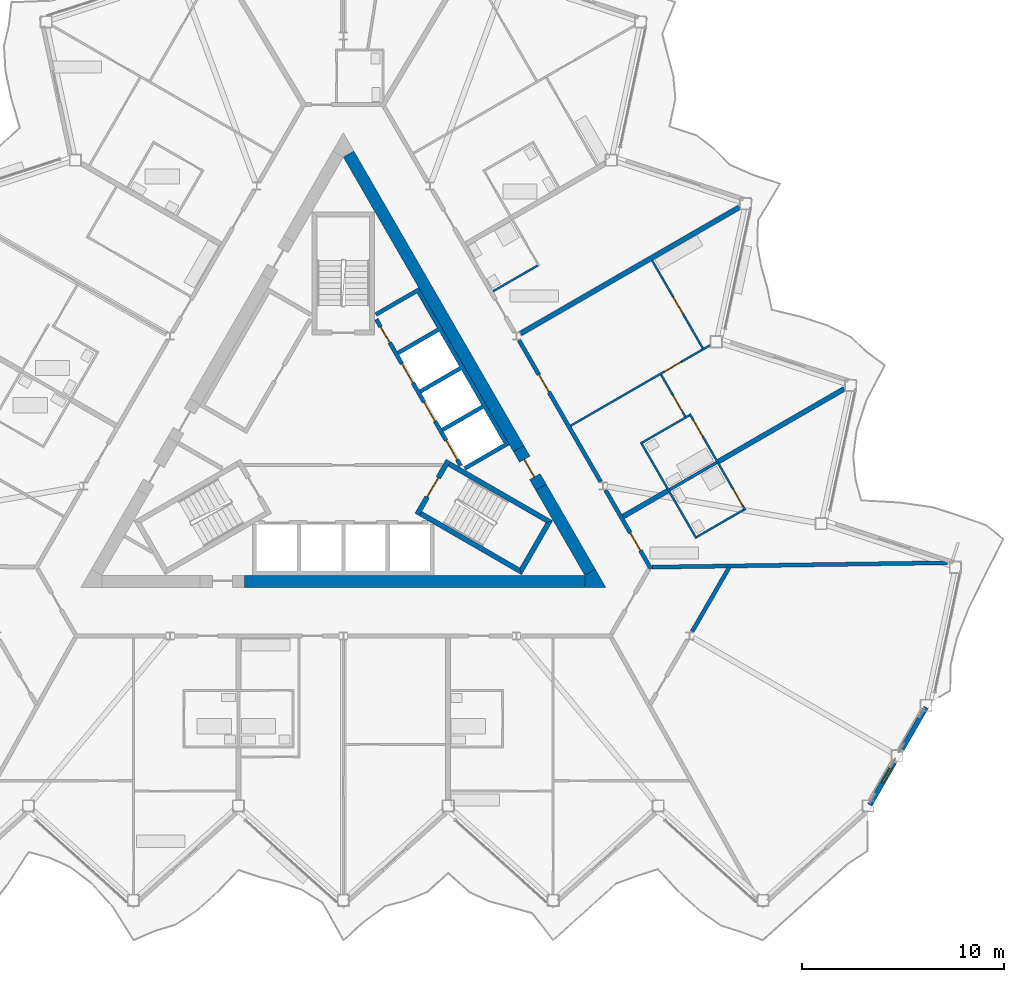
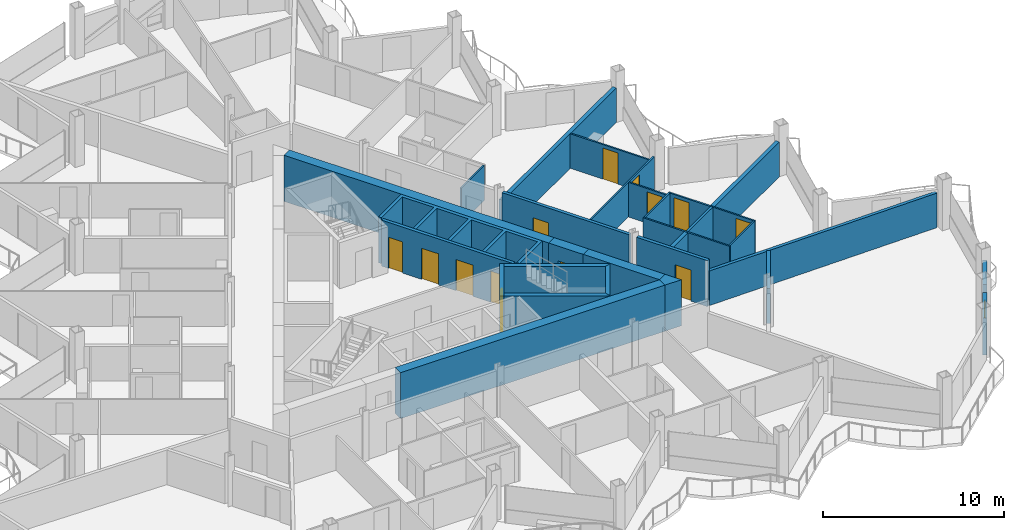
# One storey, part 16 of 26: 29 walls, 13 doors, 1 window, 14 openings.
"""IFC4 building model written with IfcOpenShell, lengths in metres."""

from ifc_helpers import new_model, si_unit, direction, frame, frame_2d, origin, place, context, subcontext, project, spatial, polyline, rectangle, outline, extrude, material, layer, layer_set, type_object, element, fill, save


model = new_model("IFC4")

# Units and contexts
model_context = context("Model", 3, precision=1e-05, world=origin(), true_north=direction((0.0, 1.0)))
body_context = subcontext(model_context, "Body", "Model", "MODEL_VIEW")
ifc_project = project(units=[si_unit("LENGTHUNIT", "METRE"), si_unit("AREAUNIT", "SQUARE_METRE"), si_unit("VOLUMEUNIT", "CUBIC_METRE"), si_unit("PLANEANGLEUNIT", "RADIAN"), si_unit("MASSUNIT", "GRAM", prefix="KILO")], contexts=[model_context])

# Site, building, storey
site_placement = place(None, origin())
site = spatial("IfcSite", under=ifc_project, at=site_placement, CompositionType="ELEMENT")
building_placement = place(site_placement, origin())
building = spatial("IfcBuilding", under=site, at=building_placement, Name="Cormorant Prow Tower", CompositionType="ELEMENT")
storey_placement = place(building_placement, frame((0.0, 0.0, 329.0)))
storey = spatial("IfcBuildingStorey", under=building, at=storey_placement, Name="L73", CompositionType="ELEMENT", Elevation=329.0)

# Walls
ifc_material_1 = material(Name="Concrete 8000 psi", Category="concrete")
ifc_layer_1 = layer(ifc_material_1, 0.60009765625)
ifc_layer_set_1 = layer_set([ifc_layer_1], Name="Concrete 8000 psi")
wall_type_1 = type_object("IfcWallType", Name="Core shear wall 600", PredefinedType="SHEAR", material=ifc_layer_set_1)
for number, where, z_axis, x_axis, name in (
    (1, (-4.89208984375, -7.20556640625, 0.0), (0.0, 0.0, 1.0), (1.0, 0.0, 0.0), "Core wall"),
    (2, (8.686279296875, -0.6337890625, 0.0), (0.0, 0.0, 1.0), (-0.500004601921, 0.866022746848, 0.0), "Core wall"),
):
    element("IfcWall", number, at=place(storey_placement, frame(where, z_axis=z_axis, x_axis=x_axis)), inside=storey, type_object=wall_type_1, Name=name, PredefinedType="SHEAR", context=body_context, shape_type="SweptSolid", body=[
        extrude(rectangle(XDim=16.852783203125, YDim=0.60009765625, at=frame_2d((8.42626953125, 0.0))), origin(), (0.0, 0.0, 1.0), 3.10009765625),
    ])
wall_1_placement = place(storey_placement, frame((12.220703125, -6.755615234375, 0.0), z_axis=(0.0, 0.0, 1.0), x_axis=(-0.50000604952, 0.866021911064, 0.0)))
element("IfcWall", 3, at=wall_1_placement, inside=storey, type_object=wall_type_1, Name="Core wall", PredefinedType="SHEAR", context=body_context, shape_type="SweptSolid", body=[
    extrude(rectangle(XDim=4.86865234375, YDim=0.60009765625, at=frame_2d((2.434326171875, 0.0))), origin(), (0.0, 0.0, 1.0), 3.10009765625),
])
wall_2_placement = place(storey_placement, origin())
element("IfcWall", 4, at=wall_2_placement, inside=storey, type_object=wall_type_1, Name="Core wall corner", PredefinedType="SHEAR", context=body_context, shape_type="SweptSolid", body=[
    extrude(outline(polyline([(11.960693359375, -7.505615234375), (11.960693359375, -6.905517578125), (12.48046875, -6.605712890625), (13.0, -7.505615234375), (11.960693359375, -7.505615234375)])), origin(), (0.0, 0.0, 1.0), 3.10009765625),
])

# Wall, opening, door
wall_3_placement = place(storey_placement, frame((9.786376953125, -2.539306640625, 0.0), z_axis=(0.0, 0.0, 1.0), x_axis=(-0.499981787252, 0.866035918664, 0.0)))
wall_3 = element("IfcWall", 5, at=wall_3_placement, inside=storey, type_object=wall_type_1, Name="Core wall door panel", PredefinedType="SHEAR", context=body_context, shape_type="SweptSolid", body=[
    extrude(rectangle(XDim=2.2001953125, YDim=0.60009765625, at=frame_2d((1.10009765625, 0.0))), origin(), (0.0, 0.0, 1.0), 3.10009765625),
])
opening_1_placement = place(wall_3_placement, frame((0.60009765625, 0.0, 0.0)))
opening_1 = element("IfcOpeningElement", 6, at=opening_1_placement, cuts=wall_3, Name="Opening L73-C15", PredefinedType="OPENING", context=body_context, shape_type="SweptSolid", body=[
    extrude(rectangle(XDim=1.0, YDim=2.10009765625, at=frame_2d((0.5, 1.050048828125))), frame((0.0, 0.31005859375, 0.0), z_axis=(0.0, -1.0, 0.0), x_axis=(1.0, 0.0, 0.0)), (0.0, 0.0, 1.0), 0.6201171875),
])
ifc_material_2 = material(Name="Painted steel", Category="steel")
door_type_1 = type_object("IfcDoorType", Name="Service door 1000x2100", OperationType="NOTDEFINED", PredefinedType="DOOR", material=ifc_material_2)
door_1_placement = place(opening_1_placement, origin())
door_1 = element("IfcDoor", 7, at=door_1_placement, inside=storey, type_object=door_type_1, Name="Core door, Electrical room", OperationType="SINGLE_SWING_LEFT", OverallHeight=2.10009765625, OverallWidth=1.0, PredefinedType="DOOR", context=body_context, shape_type="SweptSolid", body=[
    extrude(rectangle(XDim=1.0, YDim=2.10009765625, at=frame_2d((0.5, 1.050048828125))), frame((0.0, 0.05517578125, 0.0), z_axis=(0.0, -1.0, 0.0), x_axis=(1.0, 0.0, 0.0)), (0.0, 0.0, 1.0), 0.050048828125),
])
fill(opening_1, door_1)

ifc_material_3 = material(Name="Gypsum board corridor wall")
ifc_layer_2 = layer(ifc_material_3, 0.199951171875)
ifc_layer_set_2 = layer_set([ifc_layer_2], Name="Gypsum board corridor wall")
wall_type_2 = type_object("IfcWallType", Name="Corridor wall 200", PredefinedType="PARTITIONING", material=ifc_layer_set_2)
wall_4_placement = place(storey_placement, frame((8.698486328125, 4.7451171875, 0.0), z_axis=(0.0, 0.0, 1.0), x_axis=(0.499984266882, -0.866034487114, 0.0)))
wall_4 = element("IfcWall", 8, at=wall_4_placement, inside=storey, type_object=wall_type_2, Name="Corridor wall", PredefinedType="PARTITIONING", context=body_context, shape_type="SweptSolid", body=[
    extrude(rectangle(XDim=8.098876953125, YDim=0.199951171875, at=frame_2d((4.04931640625, 0.0))), origin(), (0.0, 0.0, 1.0), 3.10009765625),
])
opening_2_placement = place(wall_4_placement, frame((1.975830078125, 0.0, 0.0)))
opening_2 = element("IfcOpeningElement", 9, at=opening_2_placement, cuts=wall_4, Name="Opening L73-F20", PredefinedType="OPENING", context=body_context, shape_type="SweptSolid", body=[
    extrude(rectangle(XDim=1.0, YDim=2.10009765625, at=frame_2d((0.5, 1.050048828125))), frame((0.0, 0.10986328125, 0.0), z_axis=(0.0, -1.0, 0.0), x_axis=(1.0, 0.0, 0.0)), (0.0, 0.0, 1.0), 0.219970703125),
])
ifc_material_4 = material(Name="Timber door leaf", Category="wood")
door_type_2 = type_object("IfcDoorType", Name="Flat or room entrance door 1000x2100", OperationType="NOTDEFINED", PredefinedType="DOOR", material=ifc_material_4)
door_2_placement = place(opening_2_placement, origin())
door_2 = element("IfcDoor", 10, at=door_2_placement, inside=storey, type_object=door_type_2, Name="Living room door", OperationType="SINGLE_SWING_LEFT", OverallHeight=2.10009765625, OverallWidth=1.0, PredefinedType="DOOR", context=body_context, shape_type="SweptSolid", body=[
    extrude(rectangle(XDim=1.0, YDim=2.10009765625, at=frame_2d((0.5, 1.050048828125))), frame((0.0, 0.02490234375, 0.0), z_axis=(0.0, -1.0, 0.0), x_axis=(1.0, 0.0, 0.0)), (0.0, 0.0, 1.0), 0.050048828125),
])
fill(opening_2, door_2)

wall_5_placement = place(storey_placement, frame((12.987548828125, -2.68408203125, 0.0), z_axis=(0.0, 0.0, 1.0), x_axis=(0.49999094734, -0.866030630277, 0.0)))
wall_5 = element("IfcWall", 11, at=wall_5_placement, inside=storey, type_object=wall_type_2, Name="Corridor wall", PredefinedType="PARTITIONING", context=body_context, shape_type="SweptSolid", body=[
    extrude(rectangle(XDim=4.5126953125, YDim=0.199951171875, at=frame_2d((2.25634765625, 0.0))), origin(), (0.0, 0.0, 1.0), 3.10009765625),
])
opening_3_placement = place(wall_5_placement, frame((2.459228515625, 0.0, 0.0)))
opening_3 = element("IfcOpeningElement", 12, at=opening_3_placement, cuts=wall_5, Name="Opening L73-F18", PredefinedType="OPENING", context=body_context, shape_type="SweptSolid", body=[
    extrude(rectangle(XDim=1.0, YDim=2.10009765625, at=frame_2d((0.5, 1.050048828125))), frame((0.0, 0.10986328125, 0.0), z_axis=(0.0, -1.0, 0.0), x_axis=(1.0, 0.0, 0.0)), (0.0, 0.0, 1.0), 0.219970703125),
])
door_3_placement = place(opening_3_placement, origin())
door_3 = element("IfcDoor", 13, at=door_3_placement, inside=storey, type_object=door_type_2, Name="Studio living, kitchen and sleeping room door", OperationType="SINGLE_SWING_LEFT", OverallHeight=2.10009765625, OverallWidth=1.0, PredefinedType="DOOR", context=body_context, shape_type="SweptSolid", body=[
    extrude(rectangle(XDim=1.0, YDim=2.10009765625, at=frame_2d((0.5, 1.050048828125))), frame((0.0, 0.02490234375, 0.0), z_axis=(0.0, -1.0, 0.0), x_axis=(1.0, 0.0, 0.0)), (0.0, 0.0, 1.0), 0.050048828125),
])
fill(opening_3, door_3)

# Walls
ifc_material_5 = material(Name="Gypsum board demising wall")
ifc_layer_3 = layer(ifc_material_5, 0.199951171875)
ifc_layer_set_3 = layer_set([ifc_layer_3], Name="Gypsum board demising wall")
wall_type_3 = type_object("IfcWallType", Name="Demising wall 200", PredefinedType="PARTITIONING", material=ifc_layer_set_3)
wall_6_placement = place(storey_placement, frame((15.2939453125, -6.50390625, 0.0), z_axis=(0.0, 0.0, 1.0), x_axis=(0.999886982846, 0.015034012608, 0.0)))
element("IfcWall", 14, at=wall_6_placement, inside=storey, type_object=wall_type_3, Name="Demising wall", PredefinedType="PARTITIONING", context=body_context, shape_type="SweptSolid", body=[
    extrude(rectangle(XDim=14.631591796875, YDim=0.199951171875, at=frame_2d((7.31591796875, 0.0))), origin(), (0.0, 0.0, 1.0), 2.330078125),
])
wall_7_placement = place(storey_placement, frame((17.27685546875, -9.697998046875, 0.0), z_axis=(0.0, 0.0, 1.0), x_axis=(0.499978535015, 0.866037796245, 0.0)))
element("IfcWall", 15, at=wall_7_placement, inside=storey, type_object=wall_type_3, Name="Demising wall", PredefinedType="PARTITIONING", context=body_context, shape_type="SweptSolid", body=[
    extrude(rectangle(XDim=3.686279296875, YDim=0.199951171875, at=frame_2d((1.84326171875, 0.0))), origin(), (0.0, 0.0, 1.0), 2.330078125),
])

# Wall, opening, door
ifc_material_6 = material(Name="Gypsum board partition")
ifc_layer_4 = layer(ifc_material_6, 0.10009765625)
ifc_layer_set_4 = layer_set([ifc_layer_4], Name="Gypsum board partition")
wall_type_4 = type_object("IfcWallType", Name="Internal partition 100", PredefinedType="PARTITIONING", material=ifc_layer_set_4)
wall_8_placement = place(storey_placement, frame((11.262451171875, 0.50390625, 0.0), z_axis=(0.0, 0.0, 1.0), x_axis=(0.866020217342, 0.500008983073, 0.0)))
wall_8 = element("IfcWall", 16, at=wall_8_placement, inside=storey, type_object=wall_type_4, Name="Internal partition", PredefinedType="PARTITIONING", context=body_context, shape_type="SweptSolid", body=[
    extrude(rectangle(XDim=7.965576171875, YDim=0.10009765625, at=frame_2d((3.98291015625, 0.0))), origin(), (0.0, 0.0, 1.0), 2.330078125),
])
opening_4_placement = place(wall_8_placement, frame((5.3623046875, 0.0, 0.0)))
opening_4 = element("IfcOpeningElement", 17, at=opening_4_placement, cuts=wall_8, Name="Opening L73-F22", PredefinedType="OPENING", context=body_context, shape_type="SweptSolid", body=[
    extrude(rectangle(XDim=0.949951171875, YDim=2.10009765625, at=frame_2d((0.47509765625, 1.050048828125))), frame((0.0, 0.06005859375, 0.0), z_axis=(0.0, -1.0, 0.0), x_axis=(1.0, 0.0, 0.0)), (0.0, 0.0, 1.0), 0.1201171875),
])
ifc_material_7 = material(Name="Timber door leaf", Category="wood")
door_type_3 = type_object("IfcDoorType", Name="Bathroom door 950x2100", OperationType="NOTDEFINED", PredefinedType="DOOR", material=ifc_material_7)
door_4_placement = place(opening_4_placement, origin())
door_4 = element("IfcDoor", 18, at=door_4_placement, inside=storey, type_object=door_type_3, Name="Living room door", OperationType="SINGLE_SWING_LEFT", OverallHeight=2.10009765625, OverallWidth=0.949951171875, PredefinedType="DOOR", context=body_context, shape_type="SweptSolid", body=[
    extrude(rectangle(XDim=0.949951171875, YDim=2.10009765625, at=frame_2d((0.47509765625, 1.050048828125))), frame((0.0, 0.02490234375, 0.0), z_axis=(0.0, -1.0, 0.0), x_axis=(1.0, 0.0, 0.0)), (0.0, 0.0, 1.0), 0.050048828125),
])
fill(opening_4, door_4)

# Wall, openings, doors
wall_9_placement = place(storey_placement, frame((17.161376953125, 1.0869140625, 0.0), z_axis=(0.0, 0.0, 1.0), x_axis=(0.499996545922, -0.866027397988, 0.0)))
wall_9 = element("IfcWall", 19, at=wall_9_placement, inside=storey, type_object=wall_type_4, Name="Internal partition", PredefinedType="PARTITIONING", context=body_context, shape_type="SweptSolid", body=[
    extrude(rectangle(XDim=5.5, YDim=0.10009765625, at=frame_2d((2.75, 0.0))), origin(), (0.0, 0.0, 1.0), 2.330078125),
])
opening_5_placement = place(wall_9_placement, frame((4.300048828125, 0.0, 0.0)))
opening_5 = element("IfcOpeningElement", 20, at=opening_5_placement, cuts=wall_9, Name="Opening L73-F19", PredefinedType="OPENING", context=body_context, shape_type="SweptSolid", body=[
    extrude(rectangle(XDim=0.949951171875, YDim=2.10009765625, at=frame_2d((0.47509765625, 1.050048828125))), frame((0.0, 0.06005859375, 0.0), z_axis=(0.0, -1.0, 0.0), x_axis=(1.0, 0.0, 0.0)), (0.0, 0.0, 1.0), 0.1201171875),
])
opening_6_placement = place(wall_9_placement, frame((0.351318359375, 0.0, 0.0)))
opening_6 = element("IfcOpeningElement", 21, at=opening_6_placement, cuts=wall_9, Name="Opening L73-F24", PredefinedType="OPENING", context=body_context, shape_type="SweptSolid", body=[
    extrude(rectangle(XDim=0.949951171875, YDim=2.10009765625, at=frame_2d((0.47509765625, 1.050048828125))), frame((0.0, 0.06005859375, 0.0), z_axis=(0.0, -1.0, 0.0), x_axis=(1.0, 0.0, 0.0)), (0.0, 0.0, 1.0), 0.1201171875),
])
door_5_placement = place(opening_5_placement, origin())
door_5 = element("IfcDoor", 22, at=door_5_placement, inside=storey, type_object=door_type_3, Name="Studio living, kitchen and sleeping room door", OperationType="SINGLE_SWING_RIGHT", OverallHeight=2.10009765625, OverallWidth=0.949951171875, PredefinedType="DOOR", context=body_context, shape_type="SweptSolid", body=[
    extrude(rectangle(XDim=0.949951171875, YDim=2.10009765625, at=frame_2d((0.47509765625, 1.050048828125))), frame((0.0, 0.02490234375, 0.0), z_axis=(0.0, -1.0, 0.0), x_axis=(1.0, 0.0, 0.0)), (0.0, 0.0, 1.0), 0.050048828125),
])
fill(opening_5, door_5)
door_6_placement = place(opening_6_placement, origin())
door_6 = element("IfcDoor", 23, at=door_6_placement, inside=storey, type_object=door_type_3, Name="Bedroom door", OperationType="SINGLE_SWING_LEFT", OverallHeight=2.10009765625, OverallWidth=0.949951171875, PredefinedType="DOOR", context=body_context, shape_type="SweptSolid", body=[
    extrude(rectangle(XDim=0.949951171875, YDim=2.10009765625, at=frame_2d((0.47509765625, 1.050048828125))), frame((0.0, 0.02490234375, 0.0), z_axis=(0.0, -1.0, 0.0), x_axis=(1.0, 0.0, 0.0)), (0.0, 0.0, 1.0), 0.050048828125),
])
fill(opening_6, door_6)

# Wall
wall_10_placement = place(storey_placement, frame((14.736328125, -0.31298828125, 0.0), z_axis=(0.0, 0.0, 1.0), x_axis=(0.49997732567, -0.866038494419, 0.0)))
element("IfcWall", 24, at=wall_10_placement, inside=storey, type_object=wall_type_4, Name="Internal partition", PredefinedType="PARTITIONING", context=body_context, shape_type="SweptSolid", body=[
    extrude(rectangle(XDim=5.500244140625, YDim=0.10009765625, at=frame_2d((2.75, 0.0))), origin(), (0.0, 0.0, 1.0), 2.330078125),
])

# Wall, opening, door
wall_11_placement = place(storey_placement, frame((15.29736328125, 8.6875, 0.0), z_axis=(0.0, 0.0, 1.0), x_axis=(0.499989096993, -0.866031698547, 0.0)))
wall_11 = element("IfcWall", 25, at=wall_11_placement, inside=storey, type_object=wall_type_4, Name="Internal partition", PredefinedType="PARTITIONING", context=body_context, shape_type="SweptSolid", body=[
    extrude(rectangle(XDim=5.01953125, YDim=0.10009765625, at=frame_2d((2.509765625, 0.0))), origin(), (0.0, 0.0, 1.0), 2.330078125),
])
opening_7_placement = place(wall_11_placement, frame((2.0859375, 0.0, 0.0)))
opening_7 = element("IfcOpeningElement", 26, at=opening_7_placement, cuts=wall_11, Name="Opening L73-F21", PredefinedType="OPENING", context=body_context, shape_type="SweptSolid", body=[
    extrude(rectangle(XDim=0.949951171875, YDim=2.10009765625, at=frame_2d((0.47509765625, 1.050048828125))), frame((0.0, 0.06005859375, 0.0), z_axis=(0.0, -1.0, 0.0), x_axis=(1.0, 0.0, 0.0)), (0.0, 0.0, 1.0), 0.1201171875),
])
door_7_placement = place(opening_7_placement, origin())
door_7 = element("IfcDoor", 27, at=door_7_placement, inside=storey, type_object=door_type_3, Name="Living room door", OperationType="SINGLE_SWING_LEFT", OverallHeight=2.10009765625, OverallWidth=0.949951171875, PredefinedType="DOOR", context=body_context, shape_type="SweptSolid", body=[
    extrude(rectangle(XDim=0.949951171875, YDim=2.10009765625, at=frame_2d((0.47509765625, 1.050048828125))), frame((0.0, 0.02490234375, 0.0), z_axis=(0.0, -1.0, 0.0), x_axis=(1.0, 0.0, 0.0)), (0.0, 0.0, 1.0), 0.050048828125),
])
fill(opening_7, door_7)

# Walls
wall_12_placement = place(storey_placement, frame((17.504638671875, -5.008056640625, 0.0), z_axis=(0.0, 0.0, 1.0), x_axis=(0.866019956843, 0.50000943426, 0.0)))
element("IfcWall", 28, at=wall_12_placement, inside=storey, type_object=wall_type_4, Name="Internal partition", PredefinedType="PARTITIONING", context=body_context, shape_type="SweptSolid", body=[
    extrude(rectangle(XDim=2.7001953125, YDim=0.10009765625, at=frame_2d((1.35009765625, 0.0))), origin(), (0.0, 0.0, 1.0), 2.330078125),
])
wall_13_placement = place(storey_placement, frame((14.8046875, -0.331298828125, 0.0), z_axis=(0.0, 0.0, 1.0), x_axis=(0.866059108428, 0.4999416173, 0.0)))
element("IfcWall", 29, at=wall_13_placement, inside=storey, type_object=wall_type_4, Name="Internal partition", PredefinedType="PARTITIONING", context=body_context, shape_type="SweptSolid", body=[
    extrude(rectangle(XDim=2.699951171875, YDim=0.10009765625, at=frame_2d((1.35009765625, 0.0))), origin(), (0.0, 0.0, 1.0), 2.330078125),
])
wall_14_placement = place(storey_placement, frame((7.417724609375, 7.163330078125, 0.0), z_axis=(0.0, 0.0, 1.0), x_axis=(0.866054858364, 0.499948979701, 0.0)))
element("IfcWall", 30, at=wall_14_placement, inside=storey, type_object=wall_type_4, Name="Internal partition", PredefinedType="PARTITIONING", context=body_context, shape_type="SweptSolid", body=[
    extrude(rectangle(XDim=2.550048828125, YDim=0.10009765625, at=frame_2d((1.27490234375, 0.0))), origin(), (0.0, 0.0, 1.0), 2.330078125),
])

# Wall, opening, door
wall_15_placement = place(storey_placement, frame((15.740478515625, 3.03173828125, 0.0), z_axis=(0.0, 0.0, 1.0), x_axis=(0.500075453945, -0.865981836046, 0.0)))
wall_15 = element("IfcWall", 31, at=wall_15_placement, inside=storey, type_object=wall_type_4, Name="Internal partition", PredefinedType="PARTITIONING", context=body_context, shape_type="SweptSolid", body=[
    extrude(rectangle(XDim=2.394775390625, YDim=0.10009765625, at=frame_2d((1.197265625, 0.0))), origin(), (0.0, 0.0, 1.0), 2.330078125),
])
opening_8_placement = place(wall_15_placement, frame((1.19482421875, 0.0, 0.0)))
opening_8 = element("IfcOpeningElement", 32, at=opening_8_placement, cuts=wall_15, Name="Opening L73-F23", PredefinedType="OPENING", context=body_context, shape_type="SweptSolid", body=[
    extrude(rectangle(XDim=0.949951171875, YDim=2.10009765625, at=frame_2d((0.47509765625, 1.050048828125))), frame((0.0, 0.06005859375, 0.0), z_axis=(0.0, -1.0, 0.0), x_axis=(1.0, 0.0, 0.0)), (0.0, 0.0, 1.0), 0.1201171875),
])
door_8_placement = place(opening_8_placement, origin())
door_8 = element("IfcDoor", 33, at=door_8_placement, inside=storey, type_object=door_type_3, Name="Bedroom door", OperationType="SINGLE_SWING_RIGHT", OverallHeight=2.10009765625, OverallWidth=0.949951171875, PredefinedType="DOOR", context=body_context, shape_type="SweptSolid", body=[
    extrude(rectangle(XDim=0.949951171875, YDim=2.10009765625, at=frame_2d((0.47509765625, 1.050048828125))), frame((0.0, 0.02490234375, 0.0), z_axis=(0.0, -1.0, 0.0), x_axis=(1.0, 0.0, 0.0)), (0.0, 0.0, 1.0), 0.050048828125),
])
fill(opening_8, door_8)

# Wall, openings, doors
ifc_material_8 = material(Name="Concrete 5000 psi", Category="concrete")
ifc_layer_5 = layer(ifc_material_8, 0.199951171875)
ifc_layer_set_5 = layer_set([ifc_layer_5], Name="Concrete 5000 psi")
wall_type_5 = type_object("IfcWallType", Name="Lift lobby wall 200", PredefinedType="SOLIDWALL", material=ifc_layer_set_5)
wall_16_placement = place(storey_placement, frame((5.817138671875, -1.4755859375, 0.0), z_axis=(0.0, 0.0, 1.0), x_axis=(-0.500002616675, 0.866023893041, 0.0)))
wall_16 = element("IfcWall", 34, at=wall_16_placement, inside=storey, type_object=wall_type_5, Name="Lift lobby wall, ENE block", PredefinedType="SOLIDWALL", context=body_context, shape_type="SweptSolid", body=[
    extrude(rectangle(XDim=8.373046875, YDim=0.199951171875, at=frame_2d((4.1865234375, 0.0))), origin(), (0.0, 0.0, 1.0), 3.10009765625),
])
opening_9_placement = place(wall_16_placement, frame((0.336669921875, 0.0, 0.0)))
opening_9 = element("IfcOpeningElement", 35, at=opening_9_placement, cuts=wall_16, Name="Opening L73-C05", PredefinedType="OPENING", context=body_context, shape_type="SweptSolid", body=[
    extrude(rectangle(XDim=1.10009765625, YDim=2.10009765625, at=frame_2d((0.550048828125, 1.050048828125))), frame((0.0, 0.10986328125, 0.0), z_axis=(0.0, -1.0, 0.0), x_axis=(1.0, 0.0, 0.0)), (0.0, 0.0, 1.0), 0.219970703125),
])
opening_10_placement = place(wall_16_placement, frame((2.53662109375, 0.0, 0.0)))
opening_10 = element("IfcOpeningElement", 36, at=opening_10_placement, cuts=wall_16, Name="Opening L73-C06", PredefinedType="OPENING", context=body_context, shape_type="SweptSolid", body=[
    extrude(rectangle(XDim=1.10009765625, YDim=2.10009765625, at=frame_2d((0.550048828125, 1.050048828125))), frame((0.0, 0.10986328125, 0.0), z_axis=(0.0, -1.0, 0.0), x_axis=(1.0, 0.0, 0.0)), (0.0, 0.0, 1.0), 0.219970703125),
])
opening_11_placement = place(wall_16_placement, frame((4.736572265625, 0.0, 0.0)))
opening_11 = element("IfcOpeningElement", 37, at=opening_11_placement, cuts=wall_16, Name="Opening L73-C07", PredefinedType="OPENING", context=body_context, shape_type="SweptSolid", body=[
    extrude(rectangle(XDim=1.10009765625, YDim=2.10009765625, at=frame_2d((0.550048828125, 1.050048828125))), frame((0.0, 0.10986328125, 0.0), z_axis=(0.0, -1.0, 0.0), x_axis=(1.0, 0.0, 0.0)), (0.0, 0.0, 1.0), 0.219970703125),
])
opening_12_placement = place(wall_16_placement, frame((7.03662109375, 0.0, 0.0)))
opening_12 = element("IfcOpeningElement", 38, at=opening_12_placement, cuts=wall_16, Name="Opening L73-C08", PredefinedType="OPENING", context=body_context, shape_type="SweptSolid", body=[
    extrude(rectangle(XDim=0.89990234375, YDim=2.10009765625, at=frame_2d((0.449951171875, 1.050048828125))), frame((0.0, 0.10986328125, 0.0), z_axis=(0.0, -1.0, 0.0), x_axis=(1.0, 0.0, 0.0)), (0.0, 0.0, 1.0), 0.219970703125),
])
ifc_material_9 = material(Name="Painted steel", Category="steel")
door_type_4 = type_object("IfcDoorType", Name="Lift landing door 1100x2100", OperationType="SLIDING_TO_LEFT", PredefinedType="DOOR", material=ifc_material_9)
door_9_placement = place(opening_9_placement, origin())
door_9 = element("IfcDoor", 39, at=door_9_placement, inside=storey, type_object=door_type_4, Name="Landing door HR2", OperationType="SLIDING_TO_LEFT", OverallHeight=2.10009765625, OverallWidth=1.10009765625, PredefinedType="DOOR", context=body_context, shape_type="SweptSolid", body=[
    extrude(rectangle(XDim=1.10009765625, YDim=2.10009765625, at=frame_2d((0.550048828125, 1.050048828125))), frame((0.0, 0.02490234375, 0.0), z_axis=(0.0, -1.0, 0.0), x_axis=(1.0, 0.0, 0.0)), (0.0, 0.0, 1.0), 0.050048828125),
])
fill(opening_9, door_9)
door_10_placement = place(opening_10_placement, origin())
door_10 = element("IfcDoor", 40, at=door_10_placement, inside=storey, type_object=door_type_4, Name="Landing door HR3", OperationType="SLIDING_TO_LEFT", OverallHeight=2.10009765625, OverallWidth=1.10009765625, PredefinedType="DOOR", context=body_context, shape_type="SweptSolid", body=[
    extrude(rectangle(XDim=1.10009765625, YDim=2.10009765625, at=frame_2d((0.550048828125, 1.050048828125))), frame((0.0, 0.02490234375, 0.0), z_axis=(0.0, -1.0, 0.0), x_axis=(1.0, 0.0, 0.0)), (0.0, 0.0, 1.0), 0.050048828125),
])
fill(opening_10, door_10)
door_11_placement = place(opening_11_placement, origin())
door_11 = element("IfcDoor", 41, at=door_11_placement, inside=storey, type_object=door_type_4, Name="Landing door HR4", OperationType="SLIDING_TO_LEFT", OverallHeight=2.10009765625, OverallWidth=1.10009765625, PredefinedType="DOOR", context=body_context, shape_type="SweptSolid", body=[
    extrude(rectangle(XDim=1.10009765625, YDim=2.10009765625, at=frame_2d((0.550048828125, 1.050048828125))), frame((0.0, 0.02490234375, 0.0), z_axis=(0.0, -1.0, 0.0), x_axis=(1.0, 0.0, 0.0)), (0.0, 0.0, 1.0), 0.050048828125),
])
fill(opening_11, door_11)
ifc_material_10 = material(Name="Painted steel", Category="steel")
door_type_5 = type_object("IfcDoorType", Name="Service door 900x2100", OperationType="NOTDEFINED", PredefinedType="DOOR", material=ifc_material_10)
door_12_placement = place(opening_12_placement, origin())
door_12 = element("IfcDoor", 42, at=door_12_placement, inside=storey, type_object=door_type_5, Name="Service door, Pantry store", OperationType="SINGLE_SWING_RIGHT", OverallHeight=2.10009765625, OverallWidth=0.89990234375, PredefinedType="DOOR", context=body_context, shape_type="SweptSolid", body=[
    extrude(rectangle(XDim=0.89990234375, YDim=2.10009765625, at=frame_2d((0.449951171875, 1.050048828125))), frame((0.0, 0.02490234375, 0.0), z_axis=(0.0, -1.0, 0.0), x_axis=(1.0, 0.0, 0.0)), (0.0, 0.0, 1.0), 0.050048828125),
])
fill(opening_12, door_12)

# Walls
ifc_material_11 = material(Name="Concrete 8000 psi", Category="concrete")
ifc_layer_6 = layer(ifc_material_11, 0.199951171875)
ifc_layer_set_6 = layer_set([ifc_layer_6], Name="Concrete 8000 psi")
wall_type_6 = type_object("IfcWallType", Name="Lift shaft wall 200", PredefinedType="SHEAR", material=ifc_layer_set_6)
wall_17_placement = place(storey_placement, origin())
element("IfcWall", 43, at=wall_17_placement, inside=storey, type_object=wall_type_6, Name="Lift shaft walls, ENE block", PredefinedType="SHEAR", context=body_context, shape_type="SweptSolid", body=[
    extrude(outline(polyline([(1.560546875, 6.09716796875), (3.730712890625, 7.35009765625), (8.230712890625, -0.444091796875), (6.060546875, -1.697021484375), (5.96044921875, -1.52392578125), (7.952392578125, -0.373779296875), (6.952392578125, 1.358154296875), (4.96044921875, 0.2080078125), (4.860595703125, 0.38134765625), (6.852294921875, 1.53125), (5.852294921875, 3.263427734375), (3.860595703125, 2.11328125), (3.760498046875, 2.28662109375), (5.75244140625, 3.4365234375), (4.75244140625, 5.168701171875), (2.760498046875, 4.018798828125), (2.660400390625, 4.19189453125), (4.65234375, 5.341796875), (3.65234375, 7.073974609375), (1.660400390625, 5.923828125), (1.560546875, 6.09716796875)])), origin(), (0.0, 0.0, 1.0), 3.10009765625),
])
ifc_material_12 = material(Name="Concrete 8000 psi", Category="concrete")
ifc_layer_7 = layer(ifc_material_12, 0.25)
ifc_layer_set_7 = layer_set([ifc_layer_7], Name="Concrete 8000 psi")
wall_type_7 = type_object("IfcWallType", Name="Stair wall 250", PredefinedType="SHEAR", material=ifc_layer_set_7)
wall_18_placement = place(storey_placement, origin())
element("IfcWall", 44, at=wall_18_placement, inside=storey, type_object=wall_type_7, Name="Stair ST2 enclosure wall (flank)", PredefinedType="SHEAR", context=body_context, shape_type="SweptSolid", body=[
    extrude(outline(polyline([(3.76318359375, -3.95556640625), (8.82958984375, -6.880615234375), (8.738037109375, -6.5390625), (3.88818359375, -3.739013671875), (3.76318359375, -3.95556640625)])), origin(), (0.0, 0.0, 1.0), 3.10009765625),
])
wall_19_placement = place(storey_placement, origin())
element("IfcWall", 45, at=wall_19_placement, inside=storey, type_object=wall_type_7, Name="Stair ST2 enclosure wall (end)", PredefinedType="SHEAR", context=body_context, shape_type="SweptSolid", body=[
    extrude(outline(polyline([(8.82958984375, -6.880615234375), (10.37353515625, -4.206298828125), (10.031982421875, -4.2978515625), (8.738037109375, -6.5390625), (8.82958984375, -6.880615234375)])), origin(), (0.0, 0.0, 1.0), 3.10009765625),
])
wall_20_placement = place(storey_placement, origin())
element("IfcWall", 46, at=wall_20_placement, inside=storey, type_object=wall_type_7, Name="Stair ST2 enclosure wall (flank)", PredefinedType="SHEAR", context=body_context, shape_type="SweptSolid", body=[
    extrude(outline(polyline([(10.031982421875, -4.2978515625), (10.37353515625, -4.206298828125), (5.30712890625, -1.28125), (5.18212890625, -1.497802734375), (10.031982421875, -4.2978515625)])), origin(), (0.0, 0.0, 1.0), 3.10009765625),
])

# Wall, opening, door
wall_21_placement = place(storey_placement, frame((3.655029296875, -3.89306640625, 0.0), z_axis=(0.0, 0.0, 1.0), x_axis=(0.499982516597, 0.866035497597, 0.0)))
wall_21 = element("IfcWall", 47, at=wall_21_placement, inside=storey, type_object=wall_type_7, Name="Stair ST2 door wall", PredefinedType="SHEAR", context=body_context, shape_type="SweptSolid", body=[
    extrude(rectangle(XDim=3.087890625, YDim=0.25, at=frame_2d((1.5439453125, 0.0))), origin(), (0.0, 0.0, 1.0), 3.10009765625),
])
opening_13_placement = place(wall_21_placement, frame((0.993896484375, 0.0, 0.0)))
opening_13 = element("IfcOpeningElement", 48, at=opening_13_placement, cuts=wall_21, Name="Opening L73-C12", PredefinedType="OPENING", context=body_context, shape_type="SweptSolid", body=[
    extrude(rectangle(XDim=1.10009765625, YDim=2.10009765625, at=frame_2d((0.550048828125, 1.050048828125))), frame((0.0, 0.135009765625, 0.0), z_axis=(0.0, -1.0, 0.0), x_axis=(1.0, 0.0, 0.0)), (0.0, 0.0, 1.0), 0.27001953125),
])
ifc_material_13 = material(Name="Painted steel", Category="steel")
door_type_6 = type_object("IfcDoorType", Name="Stair door 1100x2100", OperationType="NOTDEFINED", PredefinedType="DOOR", material=ifc_material_13)
door_13_placement = place(opening_13_placement, origin())
door_13 = element("IfcDoor", 49, at=door_13_placement, inside=storey, type_object=door_type_6, Name="Stair ST2 door", OperationType="SINGLE_SWING_RIGHT", OverallHeight=2.10009765625, OverallWidth=1.10009765625, PredefinedType="DOOR", context=body_context, shape_type="SweptSolid", body=[
    extrude(rectangle(XDim=1.10009765625, YDim=2.10009765625, at=frame_2d((0.550048828125, 1.050048828125))), frame((0.0, 0.02490234375, 0.0), z_axis=(0.0, -1.0, 0.0), x_axis=(1.0, 0.0, 0.0)), (0.0, 0.0, 1.0), 0.050048828125),
])
fill(opening_13, door_13)

# Walls
ifc_material_14 = material(Name="Acoustic gypsum party wall")
ifc_layer_8 = layer(ifc_material_14, 0.25)
ifc_layer_set_8 = layer_set([ifc_layer_8], Name="Acoustic gypsum party wall")
wall_type_8 = type_object("IfcWallType", Name="Suite party wall 250", PredefinedType="PARTITIONING", material=ifc_layer_set_8)
wall_22_placement = place(storey_placement, frame((8.7861328125, 5.07275390625, 0.0), z_axis=(0.0, 0.0, 1.0), x_axis=(0.86602139559, 0.500006942333, 0.0)))
element("IfcWall", 50, at=wall_22_placement, inside=storey, type_object=wall_type_8, Name="Suite party wall", PredefinedType="PARTITIONING", context=body_context, shape_type="SweptSolid", body=[
    extrude(rectangle(XDim=12.504638671875, YDim=0.25, at=frame_2d((6.25244140625, 0.0))), origin(), (0.0, 0.0, 1.0), 2.330078125),
])
wall_23_placement = place(storey_placement, frame((18.57958984375, -1.269775390625, 0.0), z_axis=(0.0, 0.0, 1.0), x_axis=(0.866024647952, 0.500001309137, 0.0)))
element("IfcWall", 51, at=wall_23_placement, inside=storey, type_object=wall_type_8, Name="Suite party wall", PredefinedType="PARTITIONING", context=body_context, shape_type="SweptSolid", body=[
    extrude(rectangle(XDim=7.19970703125, YDim=0.25, at=frame_2d((3.599853515625, 0.0))), origin(), (0.0, 0.0, 1.0), 2.330078125),
])
wall_24_placement = place(storey_placement, frame((13.85986328125, -3.99462890625, 0.0), z_axis=(0.0, 0.0, 1.0), x_axis=(0.866030925526, 0.499990435942, 0.0)))
element("IfcWall", 52, at=wall_24_placement, inside=storey, type_object=wall_type_8, Name="Suite party wall", PredefinedType="PARTITIONING", context=body_context, shape_type="SweptSolid", body=[
    extrude(rectangle(XDim=2.5498046875, YDim=0.25, at=frame_2d((1.27490234375, 0.0))), origin(), (0.0, 0.0, 1.0), 2.330078125),
])

# Wall, opening, window
ifc_material_15 = material(Name="Terracotta", Category="masonry")
ifc_layer_9 = layer(ifc_material_15, 0.25)
ifc_layer_set_9 = layer_set([ifc_layer_9], Name="Terracotta")
wall_type_9 = type_object("IfcWallType", Name="Terracotta bay wall 250", PredefinedType="SOLIDWALL", material=ifc_layer_set_9)
wall_25_placement = place(storey_placement, frame((26.082275390625, -18.27978515625, 0.0), z_axis=(0.0, 0.0, 1.0), x_axis=(0.50001992892, 0.866013897511, 0.0)))
wall_25 = element("IfcWall", 53, at=wall_25_placement, inside=storey, type_object=wall_type_9, Name="Terracotta bay wall ESE00", PredefinedType="SOLIDWALL", context=body_context, shape_type="SweptSolid", body=[
    extrude(rectangle(XDim=2.41552734375, YDim=0.25, at=frame_2d((1.207763671875, 0.0))), origin(), (0.0, 0.0, 1.0), 2.48779296875),
])
opening_14_placement = place(wall_25_placement, frame((1.25, 0.0, 1.60009765625)))
opening_14 = element("IfcOpeningElement", 54, at=opening_14_placement, cuts=wall_25, Name="Opening WN7", PredefinedType="OPENING", context=body_context, shape_type="SweptSolid", body=[
    extrude(rectangle(XDim=0.89990234375, YDim=0.60009765625, at=frame_2d((0.449951171875, 0.300048828125))), frame((0.0, 0.135009765625, 0.0), z_axis=(0.0, -1.0, 0.0), x_axis=(1.0, 0.0, 0.0)), (0.0, 0.0, 1.0), 0.27001953125),
])
ifc_material_16 = material(Name="Aluminium 6063-T6", Category="aluminium")
window_type = type_object("IfcWindowType", Name="Corner bay window 900x600", PartitioningType="SINGLE_PANEL", PredefinedType="WINDOW", material=ifc_material_16)
window_placement = place(opening_14_placement, origin())
window = element("IfcWindow", 55, at=window_placement, inside=storey, type_object=window_type, Name="Corner bay window ESE00", OverallHeight=0.60009765625, OverallWidth=0.89990234375, PartitioningType="SINGLE_PANEL", PredefinedType="WINDOW", context=body_context, shape_type="SweptSolid", body=[
    extrude(rectangle(XDim=0.89990234375, YDim=0.60009765625, at=frame_2d((0.449951171875, 0.300048828125))), frame((0.0, 0.030029296875, 0.0), z_axis=(0.0, -1.0, 0.0), x_axis=(1.0, 0.0, 0.0)), (0.0, 0.0, 1.0), 0.06005859375),
])
fill(opening_14, window)

# Walls
wall_26_placement = place(storey_placement, frame((27.6796875, -15.512939453125, 0.0), z_axis=(0.0, 0.0, 1.0), x_axis=(0.499982446489, 0.866035538072, 0.0)))
element("IfcWall", 56, at=wall_26_placement, inside=storey, type_object=wall_type_9, Name="Terracotta bay wall ESE01", PredefinedType="SOLIDWALL", context=body_context, shape_type="SweptSolid", body=[
    extrude(rectangle(XDim=2.38427734375, YDim=0.25, at=frame_2d((1.192138671875, 0.0))), origin(), (0.0, 0.0, 1.0), 2.48779296875),
])
ifc_material_17 = material(Name="Plasterboard wet wall with pipe chase")
ifc_layer_10 = layer(ifc_material_17, 0.14990234375)
ifc_layer_set_10 = layer_set([ifc_layer_10], Name="Plasterboard wet wall with pipe chase")
wall_type_10 = type_object("IfcWallType", Name="Wet wall 150", PredefinedType="PLUMBINGWALL", material=ifc_layer_set_10)
wall_27_placement = place(storey_placement, frame((16.15478515625, -2.669677734375, 0.0), z_axis=(0.0, 0.0, 1.0), x_axis=(0.86599734893, 0.500048589285, 0.0)))
element("IfcWall", 57, at=wall_27_placement, inside=storey, type_object=wall_type_10, Name="Wet wall", PredefinedType="PLUMBINGWALL", context=body_context, shape_type="SweptSolid", body=[
    extrude(rectangle(XDim=2.699951171875, YDim=0.14990234375, at=frame_2d((1.35009765625, 0.0))), origin(), (0.0, 0.0, 1.0), 2.330078125),
])

save(model, "model.ifc")
